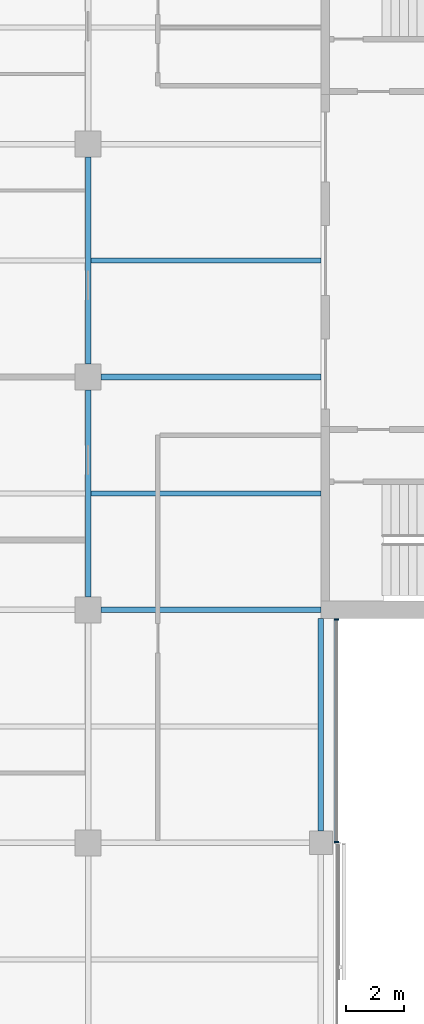
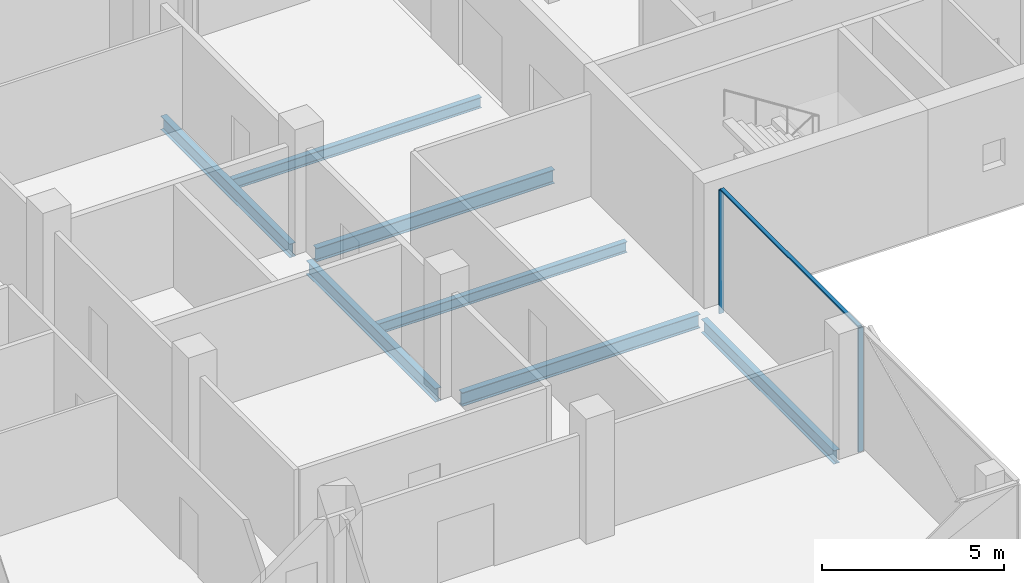
# One storey, part 4 of 15: 7 beams, 3 members, 1 element without a shape of its own.
"""IFC4 building model written with IfcOpenShell, lengths in metres."""

from ifc_helpers import new_model, si_unit, direction, frame, origin, origin_2d, place, context, subcontext, project, spatial, rectangle, i_section, extrude, material, material_profile, profile_set, type_object, element, aggregate, save


model = new_model("IFC4")

# Units and contexts
model_context = context("Model", 3, precision=1e-05, world=origin(), true_north=direction((0.0, 1.0)))
body_context = subcontext(model_context, "Body", "Model", "MODEL_VIEW")
ifc_project = project(units=[si_unit("LENGTHUNIT", "METRE"), si_unit("AREAUNIT", "SQUARE_METRE"), si_unit("VOLUMEUNIT", "CUBIC_METRE"), si_unit("PLANEANGLEUNIT", "RADIAN"), si_unit("MASSUNIT", "GRAM", prefix="KILO")], contexts=[model_context])

# Site, building, storey
site_placement = place(None, origin())
site = spatial("IfcSite", under=ifc_project, at=site_placement, CompositionType="ELEMENT")
building_placement = place(site_placement, origin())
building = spatial("IfcBuilding", under=site, at=building_placement, Name="Crosswind Convention Tower", CompositionType="ELEMENT")
storey_placement = place(building_placement, frame((0.0, 0.0, 229.300048828125)))
storey = spatial("IfcBuildingStorey", under=building, at=storey_placement, Name="L49", CompositionType="ELEMENT", Elevation=229.300048828125)

# Beams
ifc_material_1 = material(Name="Steel S355", Category="steel")
ifc_material_profile_1 = material_profile(ifc_material_1, i_section(OverallWidth=0.18994140625, OverallDepth=0.45361328125, WebThickness=0.008544921875, FlangeThickness=0.0126953125, FilletRadius=0.01025390625, at=origin_2d()), Name="UB 457x191x67")
ifc_profile_set_1 = profile_set([ifc_material_profile_1], Name="Steel S355")
beam_type_1 = type_object("IfcBeamType", Name="Edge beam UB 457x191x67", PredefinedType="SPANDREL", material=ifc_profile_set_1)
beam_placement = place(storey_placement, frame((137.0, 80.39990234375, -0.52685546875), z_axis=(0.0, 1.0, 0.0), x_axis=(-1.0, 0.0, 0.0)))
element("IfcBeam", 1, at=beam_placement, inside=storey, type_object=beam_type_1, Name="B16 L49 edge beam 12", PredefinedType="SPANDREL", context=body_context, shape_type="SweptSolid", body=[
    extrude(i_section(OverallWidth=0.18994140625, OverallDepth=0.45361328125, WebThickness=0.008544921875, FlangeThickness=0.0126953125, FilletRadius=0.01025390625, at=origin_2d()), origin(), (0.0, 0.0, 1.0), 7.300048828125),
])
ifc_material_profile_2 = material_profile(ifc_material_1, i_section(OverallWidth=0.1904296875, OverallDepth=0.457275390625, WebThickness=0.009033203125, FlangeThickness=0.014404296875, FilletRadius=0.01025390625, at=origin_2d()), Name="UB 457x191x75")
ifc_profile_set_2 = profile_set([ifc_material_profile_2], Name="Steel S355")
beam_type_2 = type_object("IfcBeamType", Name="Girder UB 457x191x75", PredefinedType="BEAM", material=ifc_profile_set_2)
for number, where, z_axis, x_axis, name in (
    (2, (129.0, 88.449951171875, -0.528564453125), (0.0, 1.0, 0.0), (-1.0, 0.0, 0.0), "B2 L49 girder 18"),
    (3, (129.0, 96.449951171875, -0.528564453125), (0.0, 1.0, 0.0), (-1.0, 0.0, 0.0), "B2 L49 girder 19"),
):
    element("IfcBeam", number, at=place(storey_placement, frame(where, z_axis=z_axis, x_axis=x_axis)), inside=storey, type_object=beam_type_2, Name=name, PredefinedType="BEAM", context=body_context, shape_type="SweptSolid", body=[
        extrude(i_section(OverallWidth=0.1904296875, OverallDepth=0.457275390625, WebThickness=0.009033203125, FlangeThickness=0.014404296875, FilletRadius=0.01025390625, at=origin_2d()), origin(), (0.0, 0.0, 1.0), 7.10009765625),
    ])
ifc_material_profile_3 = material_profile(ifc_material_1, i_section(OverallWidth=0.19140625, OverallDepth=0.460205078125, WebThickness=0.010009765625, FlangeThickness=0.01611328125, FilletRadius=0.01025390625, at=origin_2d()), Name="UB 457x191x82")
ifc_profile_set_3 = profile_set([ifc_material_profile_3], Name="Steel S355")
beam_type_3 = type_object("IfcBeamType", Name="Girder at core wall UB 457x191x82", PredefinedType="BEAM", material=ifc_profile_set_3)
for number, where, z_axis, x_axis, name in (
    (4, (129.449951171875, 88.0, -0.530029296875), (1.0, 0.0, 0.0), (0.0, 1.0, 0.0), "B23 L49 girder at core wall 5"),
    (5, (129.449951171875, 96.0, -0.530029296875), (1.0, 0.0, 0.0), (0.0, 1.0, 0.0), "B23 L49 girder at core wall 6"),
):
    element("IfcBeam", number, at=place(storey_placement, frame(where, z_axis=z_axis, x_axis=x_axis)), inside=storey, type_object=beam_type_3, Name=name, PredefinedType="BEAM", context=body_context, shape_type="SweptSolid", body=[
        extrude(i_section(OverallWidth=0.19140625, OverallDepth=0.460205078125, WebThickness=0.010009765625, FlangeThickness=0.01611328125, FilletRadius=0.01025390625, at=origin_2d()), origin(), (0.0, 0.0, 1.0), 7.550048828125),
    ])

# Curtain wall, members
ifc_material_2 = material(Name="Aluminium unitised curtain wall", Category="aluminium")
curtain_wall_type = type_object("IfcCurtainWallType", Name="CORE END SLOT WALL 160", PredefinedType="USERDEFINED", material=ifc_material_2)
curtain_wall_placement = place(storey_placement, origin())
curtain_wall = element("IfcCurtainWall", 6, at=curtain_wall_placement, inside=storey, type_object=curtain_wall_type, Name="CW6 L49 S-E.1-2 slot", ObjectType="UNITISED", PredefinedType="USERDEFINED")
ifc_material_3 = material(Name="Aluminium mullion", Category="aluminium")
ifc_material_profile_4 = material_profile(ifc_material_3, rectangle(XDim=0.159912109375, YDim=0.050048828125, at=origin_2d()), Name="AL 160X50")
ifc_profile_set_4 = profile_set([ifc_material_profile_4], Name="Aluminium mullion")
member_type_1 = type_object("IfcMemberType", Name="MULLION 50X160", PredefinedType="MULLION", material=ifc_profile_set_4)
member_1_placement = place(storey_placement, frame((137.530029296875, 80.02490234375, -0.300048828125), z_axis=(0.0, 0.0, 1.0), x_axis=(1.0, 0.0, 0.0)))
member_1 = element("IfcMember", 7, at=member_1_placement, type_object=member_type_1, Name="CW6 mullion 1", PredefinedType="MULLION", context=body_context, shape_type="SweptSolid", body=[
    extrude(rectangle(XDim=0.159912109375, YDim=0.050048828125, at=origin_2d()), origin(), (0.0, 0.0, 1.0), 4.14990234375),
])
member_2_placement = place(storey_placement, frame((137.530029296875, 87.675048828125, -0.300048828125), z_axis=(0.0, 0.0, 1.0), x_axis=(1.0, 0.0, 0.0)))
member_2 = element("IfcMember", 8, at=member_2_placement, type_object=member_type_1, Name="CW6 mullion 2", PredefinedType="MULLION", context=body_context, shape_type="SweptSolid", body=[
    extrude(rectangle(XDim=0.159912109375, YDim=0.050048828125, at=origin_2d()), origin(), (0.0, 0.0, 1.0), 4.14990234375),
])

# Beams
ifc_material_profile_5 = material_profile(ifc_material_1, i_section(OverallWidth=0.172119140625, OverallDepth=0.358642578125, WebThickness=0.008056640625, FlangeThickness=0.012939453125, FilletRadius=0.01025390625, at=origin_2d()), Name="UB 356x171x57")
ifc_profile_set_5 = profile_set([ifc_material_profile_5], Name="Steel S355")
beam_type_4 = type_object("IfcBeamType", Name="Secondary beam UB 356x171x57", PredefinedType="JOIST", material=ifc_profile_set_5)
for number, where, z_axis, x_axis, name in (
    (9, (129.09521484375, 92.0, -0.479248046875), (1.0, 0.0, 0.0), (0.0, 1.0, 0.0), "B9 L49 secondary beam 17"),
    (10, (129.09521484375, 100.0, -0.479248046875), (1.0, 0.0, 0.0), (0.0, 1.0, 0.0), "B9 L49 secondary beam 18"),
):
    element("IfcBeam", number, at=place(storey_placement, frame(where, z_axis=z_axis, x_axis=x_axis)), inside=storey, type_object=beam_type_4, Name=name, PredefinedType="JOIST", context=body_context, shape_type="SweptSolid", body=[
        extrude(i_section(OverallWidth=0.172119140625, OverallDepth=0.358642578125, WebThickness=0.008056640625, FlangeThickness=0.012939453125, FilletRadius=0.01025390625, at=origin_2d()), origin(), (0.0, 0.0, 1.0), 7.90478515625),
    ])

# Member
ifc_material_4 = material(Name="Aluminium transom", Category="aluminium")
ifc_material_profile_6 = material_profile(ifc_material_4, rectangle(XDim=0.1201171875, YDim=0.050048828125, at=origin_2d()), Name="AL 120X50")
ifc_profile_set_6 = profile_set([ifc_material_profile_6], Name="Aluminium transom")
member_type_2 = type_object("IfcMemberType", Name="TRANSOM 50X120", PredefinedType="USERDEFINED", material=ifc_profile_set_6)
member_3_placement = place(storey_placement, frame((137.530029296875, 80.050048828125, 3.875), z_axis=(0.0, 1.0, 0.0), x_axis=(-1.0, 0.0, 0.0)))
member_3 = element("IfcMember", 11, at=member_3_placement, type_object=member_type_2, Name="CW6 transom", ObjectType="TRANSOM", PredefinedType="USERDEFINED", context=body_context, shape_type="SweptSolid", body=[
    extrude(rectangle(XDim=0.1201171875, YDim=0.050048828125, at=origin_2d()), origin(), (0.0, 0.0, 1.0), 7.599853515625),
])

aggregate(curtain_wall, [member_1, member_2, member_3])

save(model, "model.ifc")
